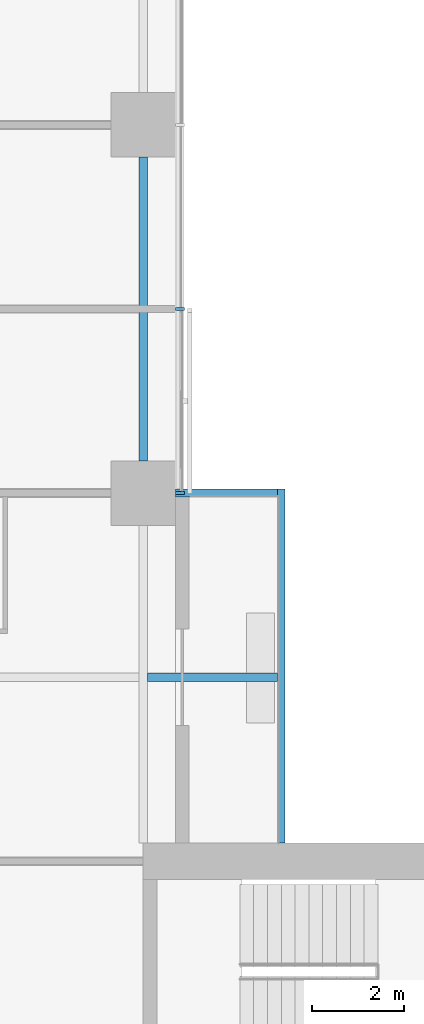
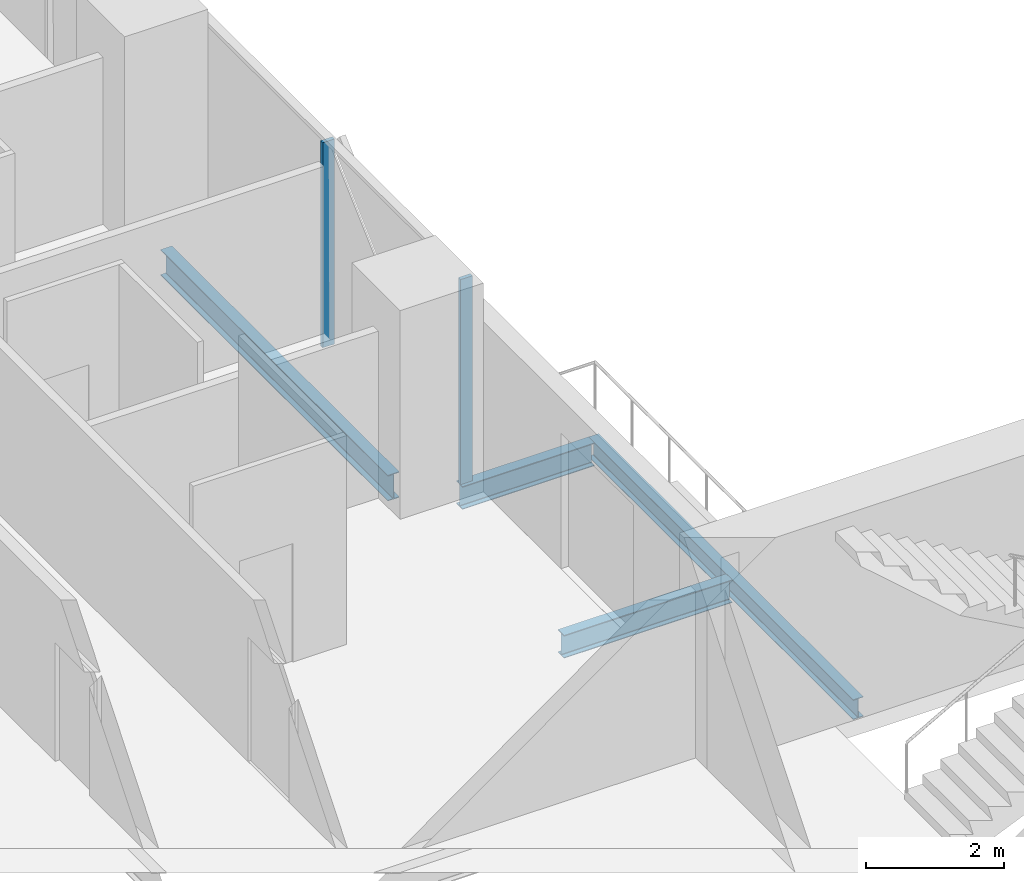
# One storey, part 10 of 27: 4 beams, 2 members, 1 element without a shape of its own.
"""IFC4 building model written with IfcOpenShell, lengths in metres."""

from ifc_helpers import new_model, si_unit, direction, frame, origin, origin_2d, place, context, subcontext, project, spatial, rectangle, i_section, extrude, material, material_profile, profile_set, type_object, element, aggregate, save


model = new_model("IFC4")

# Units and contexts
model_context = context("Model", 3, precision=1e-05, world=origin(), true_north=direction((0.0, 1.0)))
body_context = subcontext(model_context, "Body", "Model", "MODEL_VIEW")
ifc_project = project(units=[si_unit("LENGTHUNIT", "METRE"), si_unit("AREAUNIT", "SQUARE_METRE"), si_unit("VOLUMEUNIT", "CUBIC_METRE"), si_unit("PLANEANGLEUNIT", "RADIAN"), si_unit("MASSUNIT", "GRAM", prefix="KILO")], contexts=[model_context])

# Site, building, storey
site_placement = place(None, origin())
site = spatial("IfcSite", under=ifc_project, at=site_placement, CompositionType="ELEMENT")
building_placement = place(site_placement, origin())
building = spatial("IfcBuilding", under=site, at=building_placement, Name="Crosswind Convention Tower", CompositionType="ELEMENT")
storey_placement = place(building_placement, frame((0.0, 0.0, 64.60009765625)))
storey = spatial("IfcBuildingStorey", under=building, at=storey_placement, Name="L10", CompositionType="ELEMENT", Elevation=64.60009765625)

# Beams
ifc_material_1 = material(Name="Steel S355", Category="steel")
ifc_material_profile_1 = material_profile(ifc_material_1, i_section(OverallWidth=0.177734375, OverallDepth=0.406494140625, WebThickness=0.0078125, FlangeThickness=0.0126953125, FilletRadius=0.01025390625, at=origin_2d()), Name="UB 406x178x60")
ifc_profile_set_1 = profile_set([ifc_material_profile_1], Name="Steel S355")
beam_type_1 = type_object("IfcBeamType", Name="Balcony cantilever UB 406x178x60", PredefinedType="BEAM", material=ifc_profile_set_1)
beam_1_placement = place(storey_placement, frame((137.09521484375, 116.0, -0.4833984375), z_axis=(1.0, 0.0, 0.0), x_axis=(0.0, 1.0, 0.0)))
element("IfcBeam", 1, at=beam_1_placement, inside=storey, type_object=beam_type_1, Name="B35 L10 balcony cantilever NE 1", PredefinedType="BEAM", context=body_context, shape_type="SweptSolid", body=[
    extrude(i_section(OverallWidth=0.177734375, OverallDepth=0.406494140625, WebThickness=0.0078125, FlangeThickness=0.0126953125, FilletRadius=0.01025390625, at=origin_2d()), origin(), (0.0, 0.0, 1.0), 2.8193359375),
])
beam_2_placement = place(storey_placement, frame((137.699951171875, 120.0, -0.4833984375), z_axis=(1.0, 0.0, 0.0), x_axis=(0.0, 1.0, 0.0)))
element("IfcBeam", 2, at=beam_2_placement, inside=storey, type_object=beam_type_1, Name="B35 L10 balcony cantilever NE 2", PredefinedType="BEAM", context=body_context, shape_type="SweptSolid", body=[
    extrude(i_section(OverallWidth=0.177734375, OverallDepth=0.406494140625, WebThickness=0.0078125, FlangeThickness=0.0126953125, FilletRadius=0.01025390625, at=origin_2d()), origin(), (0.0, 0.0, 1.0), 2.214599609375),
])
ifc_material_profile_2 = material_profile(ifc_material_1, i_section(OverallWidth=0.1708984375, OverallDepth=0.35205078125, WebThickness=0.0068359375, FlangeThickness=0.009765625, FilletRadius=0.01025390625, at=origin_2d()), Name="UB 356x171x45")
ifc_profile_set_2 = profile_set([ifc_material_profile_2], Name="Steel S355")
beam_type_2 = type_object("IfcBeamType", Name="Balcony edge beam UB 356x171x45", PredefinedType="BEAM", material=ifc_profile_set_2)
beam_3_placement = place(storey_placement, frame((140.0, 112.39990234375, -0.4560546875), z_axis=(0.0, 1.0, 0.0), x_axis=(-1.0, 0.0, 0.0)))
element("IfcBeam", 3, at=beam_3_placement, inside=storey, type_object=beam_type_2, Name="B37 L10 balcony edge beam NE 3", PredefinedType="BEAM", context=body_context, shape_type="SweptSolid", body=[
    extrude(i_section(OverallWidth=0.1708984375, OverallDepth=0.35205078125, WebThickness=0.0068359375, FlangeThickness=0.009765625, FilletRadius=0.01025390625, at=origin_2d()), origin(), (0.0, 0.0, 1.0), 7.68896484375),
])
ifc_material_profile_3 = material_profile(ifc_material_1, i_section(OverallWidth=0.1904296875, OverallDepth=0.457275390625, WebThickness=0.009033203125, FlangeThickness=0.014404296875, FilletRadius=0.01025390625, at=origin_2d()), Name="UB 457x191x75")
ifc_profile_set_3 = profile_set([ifc_material_profile_3], Name="Steel S355")
beam_type_3 = type_object("IfcBeamType", Name="Edge beam UB 457x191x75", PredefinedType="SPANDREL", material=ifc_profile_set_3)
beam_4_placement = place(storey_placement, frame((137.0, 120.699951171875, -0.5087890625), z_axis=(0.0, 1.0, 0.0), x_axis=(-1.0, 0.0, 0.0)))
element("IfcBeam", 4, at=beam_4_placement, inside=storey, type_object=beam_type_3, Name="B17 L10 edge beam 22", PredefinedType="SPANDREL", context=body_context, shape_type="SweptSolid", body=[
    extrude(i_section(OverallWidth=0.1904296875, OverallDepth=0.457275390625, WebThickness=0.009033203125, FlangeThickness=0.014404296875, FilletRadius=0.01025390625, at=origin_2d()), origin(), (0.0, 0.0, 1.0), 6.60009765625),
])

# Curtain wall, members
ifc_material_2 = material(Name="Aluminium unitised curtain wall", Category="aluminium")
curtain_wall_type = type_object("IfcCurtainWallType", Name="HOTEL UNITISED WALL 200", PredefinedType="USERDEFINED", material=ifc_material_2)
curtain_wall_placement = place(storey_placement, origin())
curtain_wall = element("IfcCurtainWall", 5, at=curtain_wall_placement, inside=storey, type_object=curtain_wall_type, Name="CW2 L10 N-E 1", ObjectType="UNITISED", PredefinedType="USERDEFINED")
ifc_material_3 = material(Name="Aluminium mullion", Category="aluminium")
ifc_material_profile_4 = material_profile(ifc_material_3, rectangle(XDim=0.199951171875, YDim=0.06494140625, at=origin_2d()), Name="AL 200X65")
ifc_profile_set_4 = profile_set([ifc_material_profile_4], Name="Aluminium mullion")
member_type = type_object("IfcMemberType", Name="MULLION 65X200", PredefinedType="MULLION", material=ifc_profile_set_4)
member_1_placement = place(storey_placement, frame((137.800048828125, 120.0, -0.280029296875), z_axis=(0.0, 0.0, 1.0), x_axis=(1.0, 0.0, 0.0)))
member_1 = element("IfcMember", 6, at=member_1_placement, type_object=member_type, Name="CW2 mullion 1", PredefinedType="MULLION", context=body_context, shape_type="SweptSolid", body=[
    extrude(rectangle(XDim=0.199951171875, YDim=0.06494140625, at=origin_2d()), origin(), (0.0, 0.0, 1.0), 3.635009765625),
])
member_2_placement = place(storey_placement, frame((137.800048828125, 124.0, -0.280029296875), z_axis=(0.0, 0.0, 1.0), x_axis=(1.0, 0.0, 0.0)))
member_2 = element("IfcMember", 7, at=member_2_placement, type_object=member_type, Name="CW2 mullion 2", PredefinedType="MULLION", context=body_context, shape_type="SweptSolid", body=[
    extrude(rectangle(XDim=0.199951171875, YDim=0.06494140625, at=origin_2d()), origin(), (0.0, 0.0, 1.0), 3.635009765625),
])
aggregate(curtain_wall, [member_1, member_2])

save(model, "model.ifc")
